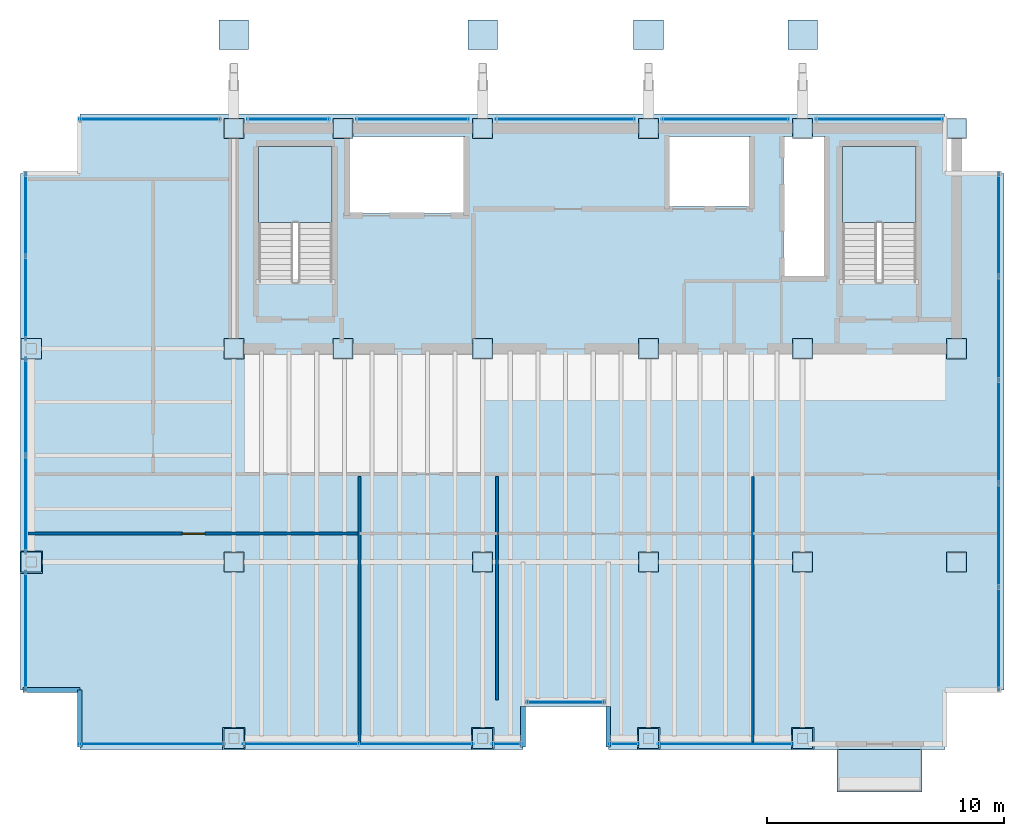
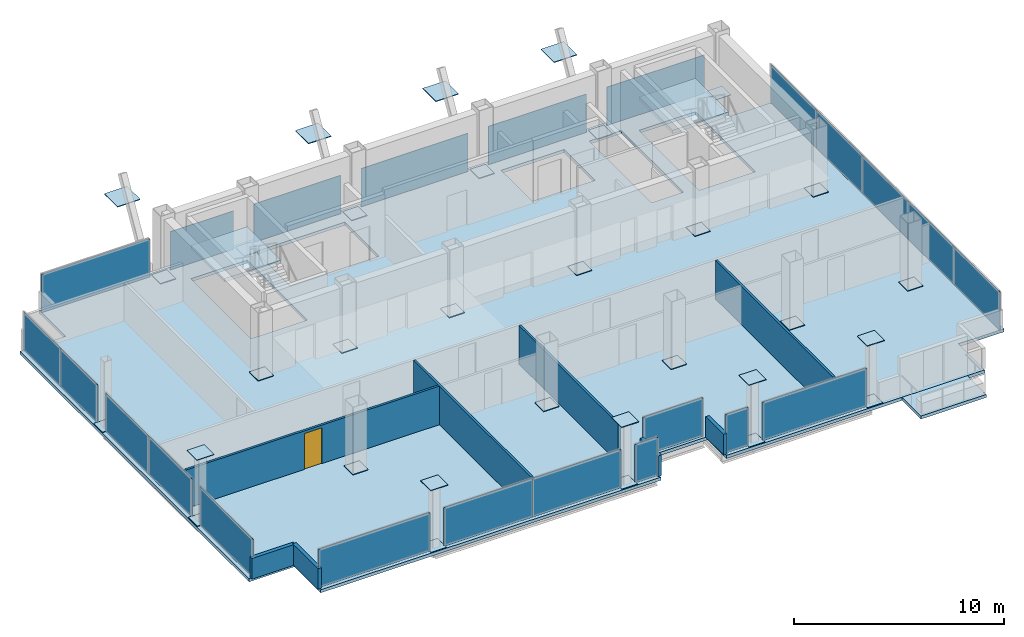
# One storey, part 13 of 16: 55 plates, 8 walls, 4 slabs, 1 door, 6 openings, 18 elements without a shape of their own.
"""IFC4 building model written with IfcOpenShell, lengths in metres."""

from ifc_helpers import new_model, si_unit, direction, frame, frame_2d, origin, origin_2d, place, context, subcontext, project, spatial, polyline, rectangle, outline, extrude, material, layer, layer_set, type_object, element, fill, aggregate, save


model = new_model("IFC4")

# Units and contexts
model_context = context("Model", 3, precision=1e-05, world=origin(), true_north=direction((0.0, 1.0)))
body_context = subcontext(model_context, "Body", "Model", "MODEL_VIEW")
ifc_project = project(units=[si_unit("LENGTHUNIT", "METRE"), si_unit("AREAUNIT", "SQUARE_METRE"), si_unit("VOLUMEUNIT", "CUBIC_METRE"), si_unit("PLANEANGLEUNIT", "RADIAN"), si_unit("MASSUNIT", "GRAM", prefix="KILO")], contexts=[model_context])

# Site, building, storey
site_placement = place(None, origin())
site = spatial("IfcSite", under=ifc_project, at=site_placement, CompositionType="ELEMENT")
building_placement = place(site_placement, origin())
building = spatial("IfcBuilding", under=site, at=building_placement, Name="Noeulbin Bourse Tower", CompositionType="ELEMENT")
storey_placement = place(building_placement, frame((0.0, 0.0, 254.0)))
storey = spatial("IfcBuildingStorey", under=building, at=storey_placement, Name="L63", CompositionType="ELEMENT", Elevation=254.0)

# Curtain wall, plate
ifc_material_1 = material(Name="High-Selectivity Low-Iron Glazing", Category="glass")
curtain_wall_type = type_object("IfcCurtainWallType", Name="CW-SYS-4", PredefinedType="NOTDEFINED", material=ifc_material_1)
curtain_wall_1_placement = place(storey_placement, origin())
curtain_wall_1 = element("IfcCurtainWall", 1, at=curtain_wall_1_placement, inside=storey, type_object=curtain_wall_type, Name="Unitised Curtain Wall CW-L63-SREC", PredefinedType="NOTDEFINED")
ifc_layer_1 = layer(ifc_material_1, 0.035888671875)
ifc_layer_set_1 = layer_set([ifc_layer_1], Name="High-Selectivity Low-Iron Glazing")
plate_type_1 = type_object("IfcPlateType", Name="CW-SYS-4-PNL", PredefinedType="CURTAIN_PANEL", material=ifc_layer_set_1)
plate_1_placement = place(storey_placement, frame((27.5, 14.080078125, 0.0), z_axis=(0.0, 0.0, 1.0), x_axis=(1.0, 0.0, 0.0)))
plate_1 = element("IfcPlate", 2, at=plate_1_placement, type_object=plate_type_1, Name="Glazed Curtain Panel CW-L63-SREC-P00", PredefinedType="CURTAIN_PANEL", context=body_context, shape_type="SweptSolid", body=[
    extrude(rectangle(XDim=3.300048828125, YDim=0.035888671875, at=origin_2d()), origin(), (0.0, 0.0, 1.0), 2.219970703125),
])
aggregate(curtain_wall_1, [plate_1])

curtain_wall_2_placement = place(storey_placement, origin())
curtain_wall_2 = element("IfcCurtainWall", 3, at=curtain_wall_2_placement, inside=storey, type_object=curtain_wall_type, Name="Unitised Curtain Wall CW-L63-S1-S1", PredefinedType="NOTDEFINED")
plate_2_placement = place(storey_placement, frame((10.047607421875, 12.320068359375, 0.0), z_axis=(0.0, 0.0, 1.0), x_axis=(1.0, 0.0, 0.0)))
plate_2 = element("IfcPlate", 4, at=plate_2_placement, type_object=plate_type_1, Name="Glazed Curtain Panel CW-L63-S1-S1-P00", PredefinedType="CURTAIN_PANEL", context=body_context, shape_type="SweptSolid", body=[
    extrude(rectangle(XDim=6.135009765625, YDim=0.035888671875, at=origin_2d()), origin(), (0.0, 0.0, 1.0), 2.219970703125),
])
aggregate(curtain_wall_2, [plate_2])

# Curtain wall, plates
curtain_wall_3_placement = place(storey_placement, origin())
curtain_wall_3 = element("IfcCurtainWall", 5, at=curtain_wall_3_placement, inside=storey, type_object=curtain_wall_type, Name="Unitised Curtain Wall CW-L63-S1-S2", PredefinedType="NOTDEFINED")
plate_3_placement = place(storey_placement, frame((16.3173828125, 12.320068359375, 0.0), z_axis=(0.0, 0.0, 1.0), x_axis=(1.0, 0.0, 0.0)))
plate_3 = element("IfcPlate", 6, at=plate_3_placement, type_object=plate_type_1, Name="Glazed Curtain Panel CW-L63-S1-S2-P00", PredefinedType="CURTAIN_PANEL", context=body_context, shape_type="SweptSolid", body=[
    extrude(rectangle(XDim=4.864990234375, YDim=0.035888671875, at=origin_2d()), origin(), (0.0, 0.0, 1.0), 2.219970703125),
])
plate_4_placement = place(storey_placement, frame((21.1826171875, 12.320068359375, 0.0), z_axis=(0.0, 0.0, 1.0), x_axis=(1.0, 0.0, 0.0)))
plate_4 = element("IfcPlate", 7, at=plate_4_placement, type_object=plate_type_1, Name="Glazed Curtain Panel CW-L63-S1-S2-P01", PredefinedType="CURTAIN_PANEL", context=body_context, shape_type="SweptSolid", body=[
    extrude(rectangle(XDim=4.864990234375, YDim=0.035888671875, at=origin_2d()), origin(), (0.0, 0.0, 1.0), 2.219970703125),
])
aggregate(curtain_wall_3, [plate_3, plate_4])

# Curtain wall, plate
curtain_wall_4_placement = place(storey_placement, origin())
curtain_wall_4 = element("IfcCurtainWall", 8, at=curtain_wall_4_placement, inside=storey, type_object=curtain_wall_type, Name="Unitised Curtain Wall CW-L63-S1-S3", PredefinedType="NOTDEFINED")
plate_5_placement = place(storey_placement, frame((25.017578125, 12.320068359375, 0.0), z_axis=(0.0, 0.0, 1.0), x_axis=(1.0, 0.0, 0.0)))
plate_5 = element("IfcPlate", 9, at=plate_5_placement, type_object=plate_type_1, Name="Glazed Curtain Panel CW-L63-S1-S3-P00", PredefinedType="CURTAIN_PANEL", context=body_context, shape_type="SweptSolid", body=[
    extrude(rectangle(XDim=1.264892578125, YDim=0.035888671875, at=origin_2d()), origin(), (0.0, 0.0, 1.0), 2.219970703125),
])
aggregate(curtain_wall_4, [plate_5])

curtain_wall_5_placement = place(storey_placement, origin())
curtain_wall_5 = element("IfcCurtainWall", 10, at=curtain_wall_5_placement, inside=storey, type_object=curtain_wall_type, Name="Unitised Curtain Wall CW-L63-S2-S1", PredefinedType="NOTDEFINED")
plate_6_placement = place(storey_placement, frame((29.982421875, 12.320068359375, 0.0), z_axis=(0.0, 0.0, 1.0), x_axis=(1.0, 0.0, 0.0)))
plate_6 = element("IfcPlate", 11, at=plate_6_placement, type_object=plate_type_1, Name="Glazed Curtain Panel CW-L63-S2-S1-P00", PredefinedType="CURTAIN_PANEL", context=body_context, shape_type="SweptSolid", body=[
    extrude(rectangle(XDim=1.264892578125, YDim=0.035888671875, at=origin_2d()), origin(), (0.0, 0.0, 1.0), 2.219970703125),
])
aggregate(curtain_wall_5, [plate_6])

curtain_wall_6_placement = place(storey_placement, origin())
curtain_wall_6 = element("IfcCurtainWall", 12, at=curtain_wall_6_placement, inside=storey, type_object=curtain_wall_type, Name="Unitised Curtain Wall CW-L63-S2-S2", PredefinedType="NOTDEFINED")
plate_7_placement = place(storey_placement, frame((34.25, 12.320068359375, 0.0), z_axis=(0.0, 0.0, 1.0), x_axis=(1.0, 0.0, 0.0)))
plate_7 = element("IfcPlate", 13, at=plate_7_placement, type_object=plate_type_1, Name="Glazed Curtain Panel CW-L63-S2-S2-P00", PredefinedType="CURTAIN_PANEL", context=body_context, shape_type="SweptSolid", body=[
    extrude(rectangle(XDim=5.72998046875, YDim=0.035888671875, at=origin_2d()), origin(), (0.0, 0.0, 1.0), 2.219970703125),
])
aggregate(curtain_wall_6, [plate_7])

curtain_wall_7_placement = place(storey_placement, origin())
curtain_wall_7 = element("IfcCurtainWall", 14, at=curtain_wall_7_placement, inside=storey, type_object=curtain_wall_type, Name="Unitised Curtain Wall CW-L63-N-S1", PredefinedType="NOTDEFINED")
plate_8_placement = place(storey_placement, frame((9.9599609375, 38.679931640625, 0.0), z_axis=(0.0, 0.0, 1.0), x_axis=(1.0, 0.0, 0.0)))
plate_8 = element("IfcPlate", 15, at=plate_8_placement, type_object=plate_type_1, Name="Glazed Curtain Panel CW-L63-N-S1-P00", PredefinedType="CURTAIN_PANEL", context=body_context, shape_type="SweptSolid", body=[
    extrude(rectangle(XDim=5.9599609375, YDim=0.035888671875, at=origin_2d()), origin(), (0.0, 0.0, 1.0), 2.219970703125),
])
aggregate(curtain_wall_7, [plate_8])

curtain_wall_8_placement = place(storey_placement, origin())
curtain_wall_8 = element("IfcCurtainWall", 16, at=curtain_wall_8_placement, inside=storey, type_object=curtain_wall_type, Name="Unitised Curtain Wall CW-L63-N-S2", PredefinedType="NOTDEFINED")
plate_9_placement = place(storey_placement, frame((15.800048828125, 38.679931640625, 0.0), z_axis=(0.0, 0.0, 1.0), x_axis=(1.0, 0.0, 0.0)))
plate_9 = element("IfcPlate", 17, at=plate_9_placement, type_object=plate_type_1, Name="Glazed Curtain Panel CW-L63-N-S2-P00", PredefinedType="CURTAIN_PANEL", context=body_context, shape_type="SweptSolid", body=[
    extrude(rectangle(XDim=3.47998046875, YDim=0.035888671875, at=origin_2d()), origin(), (0.0, 0.0, 1.0), 2.219970703125),
])
aggregate(curtain_wall_8, [plate_9])

curtain_wall_9_placement = place(storey_placement, origin())
curtain_wall_9 = element("IfcCurtainWall", 18, at=curtain_wall_9_placement, inside=storey, type_object=curtain_wall_type, Name="Unitised Curtain Wall CW-L63-N-S3", PredefinedType="NOTDEFINED")
plate_10_placement = place(storey_placement, frame((21.050048828125, 38.679931640625, 0.0), z_axis=(0.0, 0.0, 1.0), x_axis=(1.0, 0.0, 0.0)))
plate_10 = element("IfcPlate", 19, at=plate_10_placement, type_object=plate_type_1, Name="Glazed Curtain Panel CW-L63-N-S3-P00", PredefinedType="CURTAIN_PANEL", context=body_context, shape_type="SweptSolid", body=[
    extrude(rectangle(XDim=4.780029296875, YDim=0.035888671875, at=origin_2d()), origin(), (0.0, 0.0, 1.0), 2.219970703125),
])
aggregate(curtain_wall_9, [plate_10])

curtain_wall_10_placement = place(storey_placement, origin())
curtain_wall_10 = element("IfcCurtainWall", 20, at=curtain_wall_10_placement, inside=storey, type_object=curtain_wall_type, Name="Unitised Curtain Wall CW-L63-N-S4", PredefinedType="NOTDEFINED")
plate_11_placement = place(storey_placement, frame((27.5, 38.679931640625, 0.0), z_axis=(0.0, 0.0, 1.0), x_axis=(1.0, 0.0, 0.0)))
plate_11 = element("IfcPlate", 21, at=plate_11_placement, type_object=plate_type_1, Name="Glazed Curtain Panel CW-L63-N-S4-P00", PredefinedType="CURTAIN_PANEL", context=body_context, shape_type="SweptSolid", body=[
    extrude(rectangle(XDim=5.8798828125, YDim=0.035888671875, at=origin_2d()), origin(), (0.0, 0.0, 1.0), 2.219970703125),
])
aggregate(curtain_wall_10, [plate_11])

curtain_wall_11_placement = place(storey_placement, origin())
curtain_wall_11 = element("IfcCurtainWall", 22, at=curtain_wall_11_placement, inside=storey, type_object=curtain_wall_type, Name="Unitised Curtain Wall CW-L63-N-S5", PredefinedType="NOTDEFINED")
plate_12_placement = place(storey_placement, frame((34.25, 38.679931640625, 0.0), z_axis=(0.0, 0.0, 1.0), x_axis=(1.0, 0.0, 0.0)))
plate_12 = element("IfcPlate", 23, at=plate_12_placement, type_object=plate_type_1, Name="Glazed Curtain Panel CW-L63-N-S5-P00", PredefinedType="CURTAIN_PANEL", context=body_context, shape_type="SweptSolid", body=[
    extrude(rectangle(XDim=5.3798828125, YDim=0.035888671875, at=origin_2d()), origin(), (0.0, 0.0, 1.0), 2.219970703125),
])
aggregate(curtain_wall_11, [plate_12])

curtain_wall_12_placement = place(storey_placement, origin())
curtain_wall_12 = element("IfcCurtainWall", 24, at=curtain_wall_12_placement, inside=storey, type_object=curtain_wall_type, Name="Unitised Curtain Wall CW-L63-N-S6", PredefinedType="NOTDEFINED")
plate_13_placement = place(storey_placement, frame((40.75, 38.679931640625, 0.0), z_axis=(0.0, 0.0, 1.0), x_axis=(1.0, 0.0, 0.0)))
plate_13 = element("IfcPlate", 25, at=plate_13_placement, type_object=plate_type_1, Name="Glazed Curtain Panel CW-L63-N-S6-P00", PredefinedType="CURTAIN_PANEL", context=body_context, shape_type="SweptSolid", body=[
    extrude(rectangle(XDim=5.3798828125, YDim=0.035888671875, at=origin_2d()), origin(), (0.0, 0.0, 1.0), 2.219970703125),
])
aggregate(curtain_wall_12, [plate_13])

curtain_wall_13_placement = place(storey_placement, origin())
curtain_wall_13 = element("IfcCurtainWall", 26, at=curtain_wall_13_placement, inside=storey, type_object=curtain_wall_type, Name="Unitised Curtain Wall CW-L63-W-S1", PredefinedType="NOTDEFINED")
plate_14_placement = place(storey_placement, frame((4.719970703125, 17.097412109375, 0.0), z_axis=(0.0, 0.0, 1.0), x_axis=(0.0, 1.0, 0.0)))
plate_14 = element("IfcPlate", 27, at=plate_14_placement, type_object=plate_type_1, Name="Glazed Curtain Panel CW-L63-W-S1-P00", PredefinedType="CURTAIN_PANEL", context=body_context, shape_type="SweptSolid", body=[
    extrude(rectangle(XDim=5.034912109375, YDim=0.035888671875, at=origin_2d()), origin(), (0.0, 0.0, 1.0), 2.219970703125),
])
aggregate(curtain_wall_13, [plate_14])

# Curtain wall, plates
curtain_wall_14_placement = place(storey_placement, origin())
curtain_wall_14 = element("IfcCurtainWall", 28, at=curtain_wall_14_placement, inside=storey, type_object=curtain_wall_type, Name="Unitised Curtain Wall CW-L63-W-S2", PredefinedType="NOTDEFINED")
plate_15_placement = place(storey_placement, frame((4.719970703125, 22.4423828125, 0.0), z_axis=(0.0, 0.0, 1.0), x_axis=(0.0, 1.0, 0.0)))
plate_15 = element("IfcPlate", 29, at=plate_15_placement, type_object=plate_type_1, Name="Glazed Curtain Panel CW-L63-W-S2-P00", PredefinedType="CURTAIN_PANEL", context=body_context, shape_type="SweptSolid", body=[
    extrude(rectangle(XDim=4.114990234375, YDim=0.035888671875, at=origin_2d()), origin(), (0.0, 0.0, 1.0), 2.219970703125),
])
plate_16_placement = place(storey_placement, frame((4.719970703125, 26.5576171875, 0.0), z_axis=(0.0, 0.0, 1.0), x_axis=(0.0, 1.0, 0.0)))
plate_16 = element("IfcPlate", 30, at=plate_16_placement, type_object=plate_type_1, Name="Glazed Curtain Panel CW-L63-W-S2-P01", PredefinedType="CURTAIN_PANEL", context=body_context, shape_type="SweptSolid", body=[
    extrude(rectangle(XDim=4.114990234375, YDim=0.035888671875, at=origin_2d()), origin(), (0.0, 0.0, 1.0), 2.219970703125),
])
aggregate(curtain_wall_14, [plate_15, plate_16])

curtain_wall_15_placement = place(storey_placement, origin())
curtain_wall_15 = element("IfcCurtainWall", 31, at=curtain_wall_15_placement, inside=storey, type_object=curtain_wall_type, Name="Unitised Curtain Wall CW-L63-W-S3", PredefinedType="NOTDEFINED")
plate_17_placement = place(storey_placement, frame((4.719970703125, 31.143798828125, 0.0), z_axis=(0.0, 0.0, 1.0), x_axis=(0.0, 1.0, 0.0)))
plate_17 = element("IfcPlate", 32, at=plate_17_placement, type_object=plate_type_1, Name="Glazed Curtain Panel CW-L63-W-S3-P00", PredefinedType="CURTAIN_PANEL", context=body_context, shape_type="SweptSolid", body=[
    extrude(rectangle(XDim=3.517578125, YDim=0.035888671875, at=origin_2d()), origin(), (0.0, 0.0, 1.0), 2.219970703125),
])
plate_18_placement = place(storey_placement, frame((4.719970703125, 34.661376953125, 0.0), z_axis=(0.0, 0.0, 1.0), x_axis=(0.0, 1.0, 0.0)))
plate_18 = element("IfcPlate", 33, at=plate_18_placement, type_object=plate_type_1, Name="Glazed Curtain Panel CW-L63-W-S3-P01", PredefinedType="CURTAIN_PANEL", context=body_context, shape_type="SweptSolid", body=[
    extrude(rectangle(XDim=3.517578125, YDim=0.035888671875, at=origin_2d()), origin(), (0.0, 0.0, 1.0), 2.219970703125),
])
aggregate(curtain_wall_15, [plate_17, plate_18])

curtain_wall_16_placement = place(storey_placement, origin())
curtain_wall_16 = element("IfcCurtainWall", 34, at=curtain_wall_16_placement, inside=storey, type_object=curtain_wall_type, Name="Unitised Curtain Wall CW-L63-E", PredefinedType="NOTDEFINED")
plate_19_placement = place(storey_placement, frame((45.780029296875, 16.763916015625, 0.0), z_axis=(0.0, 0.0, 1.0), x_axis=(0.0, 1.0, 0.0)))
plate_19 = element("IfcPlate", 35, at=plate_19_placement, type_object=plate_type_1, Name="Glazed Curtain Panel CW-L63-E-P00", PredefinedType="CURTAIN_PANEL", context=body_context, shape_type="SweptSolid", body=[
    extrude(rectangle(XDim=4.367919921875, YDim=0.035888671875, at=origin_2d()), origin(), (0.0, 0.0, 1.0), 2.219970703125),
])
plate_20_placement = place(storey_placement, frame((45.780029296875, 21.132080078125, 0.0), z_axis=(0.0, 0.0, 1.0), x_axis=(0.0, 1.0, 0.0)))
plate_20 = element("IfcPlate", 36, at=plate_20_placement, type_object=plate_type_1, Name="Glazed Curtain Panel CW-L63-E-P01", PredefinedType="CURTAIN_PANEL", context=body_context, shape_type="SweptSolid", body=[
    extrude(rectangle(XDim=4.367919921875, YDim=0.035888671875, at=origin_2d()), origin(), (0.0, 0.0, 1.0), 2.219970703125),
])
plate_21_placement = place(storey_placement, frame((45.780029296875, 25.5, 0.0), z_axis=(0.0, 0.0, 1.0), x_axis=(0.0, 1.0, 0.0)))
plate_21 = element("IfcPlate", 37, at=plate_21_placement, type_object=plate_type_1, Name="Glazed Curtain Panel CW-L63-E-P02", PredefinedType="CURTAIN_PANEL", context=body_context, shape_type="SweptSolid", body=[
    extrude(rectangle(XDim=4.367919921875, YDim=0.035888671875, at=origin_2d()), origin(), (0.0, 0.0, 1.0), 2.219970703125),
])
plate_22_placement = place(storey_placement, frame((45.780029296875, 29.867919921875, 0.0), z_axis=(0.0, 0.0, 1.0), x_axis=(0.0, 1.0, 0.0)))
plate_22 = element("IfcPlate", 38, at=plate_22_placement, type_object=plate_type_1, Name="Glazed Curtain Panel CW-L63-E-P03", PredefinedType="CURTAIN_PANEL", context=body_context, shape_type="SweptSolid", body=[
    extrude(rectangle(XDim=4.367919921875, YDim=0.035888671875, at=origin_2d()), origin(), (0.0, 0.0, 1.0), 2.219970703125),
])
plate_23_placement = place(storey_placement, frame((45.780029296875, 34.236083984375, 0.0), z_axis=(0.0, 0.0, 1.0), x_axis=(0.0, 1.0, 0.0)))
plate_23 = element("IfcPlate", 39, at=plate_23_placement, type_object=plate_type_1, Name="Glazed Curtain Panel CW-L63-E-P04", PredefinedType="CURTAIN_PANEL", context=body_context, shape_type="SweptSolid", body=[
    extrude(rectangle(XDim=4.367919921875, YDim=0.035888671875, at=origin_2d()), origin(), (0.0, 0.0, 1.0), 2.219970703125),
])
aggregate(curtain_wall_16, [plate_19, plate_20, plate_21, plate_22, plate_23])

# Plates
ifc_material_2 = material(Name="Steel S355", Category="steel")
ifc_layer_2 = layer(ifc_material_2, 0.030029296875)
ifc_layer_set_2 = layer_set([ifc_layer_2], Name="Steel S355")
plate_type_2 = type_object("IfcPlateType", Name="PLT-BN1", PredefinedType="USERDEFINED", material=ifc_layer_set_2)
for number, where, z_axis, x_axis, name in (
    (40, (13.5, 29.0, 0.0048828125), (0.0, 0.0, 1.0), (1.0, 0.0, 0.0), "Mega-Column Splice Plate BN1-L63-01"),
    (41, (13.5, 38.300048828125, 0.0048828125), (0.0, 0.0, 1.0), (1.0, 0.0, 0.0), "Mega-Column Splice Plate BN1-L63-02"),
    (42, (18.10009765625, 29.0, 0.0048828125), (0.0, 0.0, 1.0), (1.0, 0.0, 0.0), "Mega-Column Splice Plate BN1-L63-03"),
    (43, (18.10009765625, 38.300048828125, 0.0048828125), (0.0, 0.0, 1.0), (1.0, 0.0, 0.0), "Mega-Column Splice Plate BN1-L63-04"),
    (44, (24.0, 29.0, 0.0048828125), (0.0, 0.0, 1.0), (1.0, 0.0, 0.0), "Mega-Column Splice Plate BN1-L63-05"),
    (45, (24.0, 38.300048828125, 0.0048828125), (0.0, 0.0, 1.0), (1.0, 0.0, 0.0), "Mega-Column Splice Plate BN1-L63-06"),
    (46, (31.0, 29.0, 0.0048828125), (0.0, 0.0, 1.0), (1.0, 0.0, 0.0), "Mega-Column Splice Plate BN1-L63-07"),
    (47, (31.0, 38.300048828125, 0.0048828125), (0.0, 0.0, 1.0), (1.0, 0.0, 0.0), "Mega-Column Splice Plate BN1-L63-08"),
    (48, (37.5, 29.0, 0.0048828125), (0.0, 0.0, 1.0), (1.0, 0.0, 0.0), "Mega-Column Splice Plate BN1-L63-09"),
    (49, (37.5, 38.300048828125, 0.0048828125), (0.0, 0.0, 1.0), (1.0, 0.0, 0.0), "Mega-Column Splice Plate BN1-L63-10"),
    (50, (44.0, 29.0, 0.0048828125), (0.0, 0.0, 1.0), (1.0, 0.0, 0.0), "Mega-Column Splice Plate BN1-L63-11"),
    (51, (44.0, 38.300048828125, 0.0048828125), (0.0, 0.0, 1.0), (1.0, 0.0, 0.0), "Mega-Column Splice Plate BN1-L63-12"),
    (52, (13.5, 20.0, 0.0048828125), (0.0, 0.0, 1.0), (1.0, 0.0, 0.0), "Mega-Column Splice Plate BN1-L63-13"),
    (53, (24.0, 20.0, 0.0048828125), (0.0, 0.0, 1.0), (1.0, 0.0, 0.0), "Mega-Column Splice Plate BN1-L63-14"),
    (54, (31.0, 20.0, 0.0048828125), (0.0, 0.0, 1.0), (1.0, 0.0, 0.0), "Mega-Column Splice Plate BN1-L63-15"),
    (55, (37.5, 20.0, 0.0048828125), (0.0, 0.0, 1.0), (1.0, 0.0, 0.0), "Mega-Column Splice Plate BN1-L63-16"),
    (56, (44.0, 20.0, 0.0048828125), (0.0, 0.0, 1.0), (1.0, 0.0, 0.0), "Mega-Column Splice Plate BN1-L63-17"),
    (57, (4.949951171875, 20.0, 0.0048828125), (0.0, 0.0, 1.0), (1.0, 0.0, 0.0), "Perimeter Column Splice Plate BN1-L63-01"),
    (58, (4.949951171875, 29.0, 0.0048828125), (0.0, 0.0, 1.0), (1.0, 0.0, 0.0), "Perimeter Column Splice Plate BN1-L63-02"),
    (59, (13.5, 12.550048828125, 0.0048828125), (0.0, 0.0, 1.0), (1.0, 0.0, 0.0), "Perimeter Column Splice Plate BN1-L63-03"),
    (60, (24.0, 12.550048828125, 0.0048828125), (0.0, 0.0, 1.0), (1.0, 0.0, 0.0), "Perimeter Column Splice Plate BN1-L63-04"),
    (61, (31.0, 12.550048828125, 0.0048828125), (0.0, 0.0, 1.0), (1.0, 0.0, 0.0), "Perimeter Column Splice Plate BN1-L63-05"),
    (62, (37.5, 12.550048828125, 0.0048828125), (0.0, 0.0, 1.0), (1.0, 0.0, 0.0), "Perimeter Column Splice Plate BN1-L63-06"),
):
    element("IfcPlate", number, at=place(storey_placement, frame(where, z_axis=z_axis, x_axis=x_axis)), inside=storey, type_object=plate_type_2, Name=name, ObjectType="SPLICE PLATE", PredefinedType="USERDEFINED", context=body_context, shape_type="SweptSolid", body=[
        extrude(rectangle(XDim=0.85009765625, YDim=0.85009765625, at=origin_2d()), origin(), (0.0, 0.0, 1.0), 0.030029296875),
    ])
ifc_material_3 = material(Name="Steel S460", Category="steel")
ifc_layer_3 = layer(ifc_material_3, 0.0400390625)
ifc_layer_set_3 = layer_set([ifc_layer_3], Name="Steel S460")
plate_type_3 = type_object("IfcPlateType", Name="PLT-KN1", PredefinedType="USERDEFINED", material=ifc_layer_set_3)
for number, where, z_axis, x_axis, name in (
    (63, (13.5, 42.25, 2.260009765625), (0.0, 0.0, 1.0), (1.0, 0.0, 0.0), "Exoskeleton Kink Gusset KN1-01"),
    (64, (24.0, 42.25, 2.260009765625), (0.0, 0.0, 1.0), (1.0, 0.0, 0.0), "Exoskeleton Kink Gusset KN1-02"),
    (65, (31.0, 42.25, 2.260009765625), (0.0, 0.0, 1.0), (1.0, 0.0, 0.0), "Exoskeleton Kink Gusset KN1-03"),
    (66, (37.5, 42.25, 2.260009765625), (0.0, 0.0, 1.0), (1.0, 0.0, 0.0), "Exoskeleton Kink Gusset KN1-04"),
):
    element("IfcPlate", number, at=place(storey_placement, frame(where, z_axis=z_axis, x_axis=x_axis)), inside=storey, type_object=plate_type_3, Name=name, ObjectType="GUSSET PLATE", PredefinedType="USERDEFINED", context=body_context, shape_type="SweptSolid", body=[
        extrude(rectangle(XDim=1.25, YDim=1.25, at=origin_2d()), origin(), (0.0, 0.0, 1.0), 0.0400390625),
    ])
ifc_layer_4 = layer(ifc_material_2, 0.031982421875)
ifc_layer_set_4 = layer_set([ifc_layer_4], Name="Steel S355")
plate_type_4 = type_object("IfcPlateType", Name="PLT-KN3", PredefinedType="USERDEFINED", material=ifc_layer_set_4)
for number, where, z_axis, x_axis, name in (
    (67, (4.949951171875, 20.0, 3.8837890625), (0.0, 0.0, 1.0), (1.0, 0.0, 0.0), "Perimeter Column End Cap Plate KN3-01"),
    (68, (13.5, 12.550048828125, 3.64404296875), (0.0, 0.0, 1.0), (1.0, 0.0, 0.0), "Perimeter Column End Cap Plate KN3-03"),
    (69, (24.0, 12.550048828125, 3.64404296875), (0.0, 0.0, 1.0), (1.0, 0.0, 0.0), "Perimeter Column End Cap Plate KN3-04"),
    (70, (31.0, 12.550048828125, 3.64404296875), (0.0, 0.0, 1.0), (1.0, 0.0, 0.0), "Perimeter Column End Cap Plate KN3-05"),
    (71, (37.5, 12.550048828125, 3.64404296875), (0.0, 0.0, 1.0), (1.0, 0.0, 0.0), "Perimeter Column End Cap Plate KN3-06"),
):
    element("IfcPlate", number, at=place(storey_placement, frame(where, z_axis=z_axis, x_axis=x_axis)), inside=storey, type_object=plate_type_4, Name=name, ObjectType="END PLATE", PredefinedType="USERDEFINED", context=body_context, shape_type="SweptSolid", body=[
        extrude(rectangle(XDim=0.949951171875, YDim=0.949951171875, at=origin_2d()), origin(), (0.0, 0.0, 1.0), 0.031982421875),
    ])

# Stair, slab
ifc_material_4 = material(Name="Concrete C40/50", Category="concrete")
stair_type = type_object("IfcStairType", Name="STR-CORE-1560", PredefinedType="HALF_TURN_STAIR", material=ifc_material_4)
stair_1_placement = place(storey_placement, origin())
stair_1 = element("IfcStair", 72, at=stair_1_placement, inside=storey, type_object=stair_type, Name="L63 ST-1", PredefinedType="HALF_TURN_STAIR")
ifc_layer_5 = layer(ifc_material_4, 0.199951171875)
ifc_layer_set_5 = layer_set([ifc_layer_5], Name="Concrete C40/50")
slab_type_1 = type_object("IfcSlabType", Name="SLB-LND-200", PredefinedType="LANDING", material=ifc_layer_set_5)
slab_1_placement = place(storey_placement, frame((0.0, 0.0, 1.75)))
slab_1 = element("IfcSlab", 73, at=slab_1_placement, type_object=slab_type_1, Name="ST-1 landing 1", PredefinedType="LANDING", context=body_context, shape_type="SweptSolid", body=[
    extrude(outline(polyline([(17.64990234375, 34.330078125), (17.64990234375, 37.5439453125), (14.550048828125, 37.5439453125), (14.550048828125, 34.330078125), (17.64990234375, 34.330078125)])), origin(), (0.0, 0.0, 1.0), 0.199951171875),
])
aggregate(stair_1, [slab_1])

stair_2_placement = place(storey_placement, origin())
stair_2 = element("IfcStair", 74, at=stair_2_placement, inside=storey, type_object=stair_type, Name="L63 ST-2", PredefinedType="HALF_TURN_STAIR")
slab_2_placement = place(storey_placement, frame((0.0, 0.0, 1.75)))
slab_2 = element("IfcSlab", 75, at=slab_2_placement, type_object=slab_type_1, Name="ST-2 landing 1", PredefinedType="LANDING", context=body_context, shape_type="SweptSolid", body=[
    extrude(outline(polyline([(42.280029296875, 34.330078125), (42.280029296875, 37.5439453125), (39.179931640625, 37.5439453125), (39.179931640625, 34.330078125), (42.280029296875, 34.330078125)])), origin(), (0.0, 0.0, 1.0), 0.199951171875),
])
aggregate(stair_2, [slab_2])

# Slab, openings
ifc_layer_6 = layer(ifc_material_4, 0.179931640625)
ifc_layer_set_6 = layer_set([ifc_layer_6], Name="Concrete C40/50")
slab_type_2 = type_object("IfcSlabType", Name="SLB-TYP-180", PredefinedType="FLOOR", material=ifc_layer_set_6)
slab_3_placement = place(storey_placement, frame((0.0, 0.0, -0.179931640625)))
slab_3 = element("IfcSlab", 76, at=slab_3_placement, inside=storey, type_object=slab_type_2, Name="Tower Structural Floor Slab L63", PredefinedType="FLOOR", context=body_context, shape_type="SweptSolid", body=[
    extrude(outline(polyline([(7.0, 12.10009765625), (25.699951171875, 12.10009765625), (25.699951171875, 13.89990234375), (29.300048828125, 13.89990234375), (29.300048828125, 12.10009765625), (43.5, 12.10009765625), (43.5, 14.60009765625), (46.0, 14.60009765625), (46.0, 36.39990234375), (43.5, 36.39990234375), (43.5, 38.89990234375), (7.0, 38.89990234375), (7.0, 36.39990234375), (4.5, 36.39990234375), (4.5, 14.60009765625), (7.0, 14.60009765625), (7.0, 12.10009765625)]), holes=[polyline([(17.64990234375, 31.81005859375), (17.64990234375, 37.5439453125), (14.550048828125, 37.5439453125), (14.550048828125, 31.81005859375), (17.64990234375, 31.81005859375)]), polyline([(42.280029296875, 31.81005859375), (42.280029296875, 37.5439453125), (39.179931640625, 37.5439453125), (39.179931640625, 31.81005859375), (42.280029296875, 31.81005859375)]), polyline([(18.35009765625, 34.699951171875), (23.25, 34.699951171875), (23.25, 37.949951171875), (18.35009765625, 37.949951171875), (18.35009765625, 34.699951171875)]), polyline([(36.699951171875, 32.050048828125), (38.449951171875, 32.050048828125), (38.449951171875, 37.949951171875), (36.699951171875, 37.949951171875), (36.699951171875, 32.050048828125)]), polyline([(31.85009765625, 35.0), (35.300048828125, 35.0), (35.300048828125, 37.949951171875), (31.85009765625, 37.949951171875), (31.85009765625, 35.0)])]), origin(), (0.0, 0.0, 1.0), 0.179931640625),
])
opening_1_placement = place(slab_3_placement, frame((0.0, 0.0, -0.010009765625)))
element("IfcOpeningElement", 77, at=opening_1_placement, cuts=slab_3, Name="Slab Shaft Opening SLB-L63-TWR-1", PredefinedType="OPENING", context=body_context, shape_type="SweptSolid", body=[
    extrude(outline(polyline([(17.64990234375, 31.81005859375), (17.64990234375, 37.5439453125), (14.550048828125, 37.5439453125), (14.550048828125, 31.81005859375), (17.64990234375, 31.81005859375)])), origin(), (0.0, 0.0, 1.0), 0.199951171875),
])
opening_2_placement = place(slab_3_placement, frame((0.0, 0.0, -0.010009765625)))
element("IfcOpeningElement", 78, at=opening_2_placement, cuts=slab_3, Name="Slab Shaft Opening SLB-L63-TWR-2", PredefinedType="OPENING", context=body_context, shape_type="SweptSolid", body=[
    extrude(outline(polyline([(42.280029296875, 31.81005859375), (42.280029296875, 37.5439453125), (39.179931640625, 37.5439453125), (39.179931640625, 31.81005859375), (42.280029296875, 31.81005859375)])), origin(), (0.0, 0.0, 1.0), 0.199951171875),
])
opening_3_placement = place(slab_3_placement, frame((0.0, 0.0, -0.010009765625)))
element("IfcOpeningElement", 79, at=opening_3_placement, cuts=slab_3, Name="Slab Shaft Opening SLB-L63-TWR-3", PredefinedType="OPENING", context=body_context, shape_type="SweptSolid", body=[
    extrude(outline(polyline([(18.35009765625, 34.699951171875), (23.25, 34.699951171875), (23.25, 37.949951171875), (18.35009765625, 37.949951171875), (18.35009765625, 34.699951171875)])), origin(), (0.0, 0.0, 1.0), 0.199951171875),
])
opening_4_placement = place(slab_3_placement, frame((0.0, 0.0, -0.010009765625)))
element("IfcOpeningElement", 80, at=opening_4_placement, cuts=slab_3, Name="Slab Shaft Opening SLB-L63-TWR-4", PredefinedType="OPENING", context=body_context, shape_type="SweptSolid", body=[
    extrude(outline(polyline([(36.699951171875, 32.050048828125), (38.449951171875, 32.050048828125), (38.449951171875, 37.949951171875), (36.699951171875, 37.949951171875), (36.699951171875, 32.050048828125)])), origin(), (0.0, 0.0, 1.0), 0.199951171875),
])
opening_5_placement = place(slab_3_placement, frame((0.0, 0.0, -0.010009765625)))
element("IfcOpeningElement", 81, at=opening_5_placement, cuts=slab_3, Name="Slab Shaft Opening SLB-L63-TWR-5", PredefinedType="OPENING", context=body_context, shape_type="SweptSolid", body=[
    extrude(outline(polyline([(31.85009765625, 35.0), (35.300048828125, 35.0), (35.300048828125, 37.949951171875), (31.85009765625, 37.949951171875), (31.85009765625, 35.0)])), origin(), (0.0, 0.0, 1.0), 0.199951171875),
])

# Slab
slab_4_placement = place(storey_placement, frame((0.0, 0.0, -0.179931640625)))
element("IfcSlab", 82, at=slab_4_placement, inside=storey, type_object=slab_type_2, Name="Cantilevered Tree-Balcony Slab L63", PredefinedType="FLOOR", context=body_context, shape_type="SweptSolid", body=[
    extrude(outline(polyline([(38.949951171875, 10.300048828125), (42.550048828125, 10.300048828125), (42.550048828125, 12.10009765625), (38.949951171875, 12.10009765625), (38.949951171875, 10.300048828125)])), origin(), (0.0, 0.0, 1.0), 0.179931640625),
])

# Walls
ifc_layer_7 = layer(ifc_material_4, 0.199951171875)
ifc_layer_set_7 = layer_set([ifc_layer_7], Name="Concrete C40/50")
wall_type_1 = type_object("IfcWallType", Name="WAL-PAR-200", PredefinedType="PARAPET", material=ifc_layer_set_7)
wall_1_placement = place(storey_placement, frame((4.60009765625, 14.60009765625, 0.0), z_axis=(0.0, 0.0, 1.0), x_axis=(1.0, 0.0, 0.0)))
element("IfcWall", 83, at=wall_1_placement, inside=storey, type_object=wall_type_1, Name="Corner Notch Parapet L63-SW1", PredefinedType="PARAPET", context=body_context, shape_type="SweptSolid", body=[
    extrude(rectangle(XDim=2.39990234375, YDim=0.199951171875, at=frame_2d((1.199951171875, 0.0))), origin(), (0.0, 0.0, 1.0), 1.199951171875),
])
wall_2_placement = place(storey_placement, frame((7.0, 14.60009765625, 0.0), z_axis=(0.0, 0.0, 1.0), x_axis=(0.0, -1.0, 0.0)))
element("IfcWall", 84, at=wall_2_placement, inside=storey, type_object=wall_type_1, Name="Corner Notch Parapet L63-SW2", PredefinedType="PARAPET", context=body_context, shape_type="SweptSolid", body=[
    extrude(rectangle(XDim=2.400146484375, YDim=0.199951171875, at=frame_2d((1.2001953125, 0.0))), origin(), (0.0, 0.0, 1.0), 1.199951171875),
])
for number, where, z_axis, x_axis, name in (
    (85, (25.699951171875, 12.199951171875, 0.0), (0.0, 0.0, 1.0), (0.0, 1.0, 0.0), "Sky-Garden Recess Parapet L63-W"),
    (86, (29.300048828125, 13.89990234375, 0.0), (0.0, 0.0, 1.0), (0.0, -1.0, 0.0), "Sky-Garden Recess Parapet L63-E"),
):
    element("IfcWall", number, at=place(storey_placement, frame(where, z_axis=z_axis, x_axis=x_axis)), inside=storey, type_object=wall_type_1, Name=name, PredefinedType="PARAPET", context=body_context, shape_type="SweptSolid", body=[
        extrude(rectangle(XDim=1.699951171875, YDim=0.199951171875, at=frame_2d((0.85009765625, 0.0))), origin(), (0.0, 0.0, 1.0), 1.199951171875),
    ])

# Wall, opening, door
ifc_material_5 = material(Name="Steel Stud Gypsum Partition", Category="steel")
ifc_layer_8 = layer(ifc_material_5, 0.1201171875)
ifc_layer_set_8 = layer_set([ifc_layer_8], Name="Steel Stud Gypsum Partition")
wall_type_2 = type_object("IfcWallType", Name="WAL-PRT-120", PredefinedType="PARTITIONING", material=ifc_layer_set_8)
wall_3_placement = place(storey_placement, frame((4.81005859375, 21.199951171875, 0.0), z_axis=(0.0, 0.0, 1.0), x_axis=(1.0, 0.0, 0.0)))
wall_3 = element("IfcWall", 87, at=wall_3_placement, inside=storey, type_object=wall_type_2, Name="Interior Partition Wall L63-06", PredefinedType="PARTITIONING", context=body_context, shape_type="SweptSolid", body=[
    extrude(rectangle(XDim=13.989990234375, YDim=0.1201171875, at=frame_2d((6.9951171875, 0.0))), origin(), (0.0, 0.0, 1.0), 2.239990234375),
])
opening_6_placement = place(wall_3_placement, frame((6.52001953125, 0.0, 0.0)))
opening_6 = element("IfcOpeningElement", 88, at=opening_6_placement, cuts=wall_3, Name="Opening ID-09", PredefinedType="OPENING", context=body_context, shape_type="SweptSolid", body=[
    extrude(rectangle(XDim=0.949951171875, YDim=2.080078125, at=frame_2d((0.47509765625, 1.0400390625))), frame((0.0, 0.070068359375, 0.0), z_axis=(0.0, -1.0, 0.0), x_axis=(1.0, 0.0, 0.0)), (0.0, 0.0, 1.0), 0.14013671875),
])
ifc_material_6 = material(Name="Acoustic Solid-Core Timber", Category="wood")
door_type = type_object("IfcDoorType", Name="DR-SINGLE-950", OperationType="SINGLE_SWING_LEFT", PredefinedType="DOOR", material=ifc_material_6)
door_placement = place(opening_6_placement, origin())
door = element("IfcDoor", 89, at=door_placement, inside=storey, type_object=door_type, Name="Interior Door L63-08", OperationType="SINGLE_SWING_LEFT", OverallHeight=2.080078125, OverallWidth=0.949951171875, PredefinedType="DOOR", context=body_context, shape_type="SweptSolid", body=[
    extrude(rectangle(XDim=0.949951171875, YDim=2.080078125, at=frame_2d((0.47509765625, 1.0400390625))), frame((0.0, 0.02490234375, 0.0), z_axis=(0.0, -1.0, 0.0), x_axis=(1.0, 0.0, 0.0)), (0.0, 0.0, 1.0), 0.050048828125),
])
fill(opening_6, door)

# Walls
wall_4_placement = place(storey_placement, frame((18.800048828125, 12.409912109375, 0.0), z_axis=(0.0, 0.0, 1.0), x_axis=(0.0, 1.0, 0.0)))
element("IfcWall", 90, at=wall_4_placement, inside=storey, type_object=wall_type_2, Name="Interior Partition Wall L63-17", PredefinedType="PARTITIONING", context=body_context, shape_type="SweptSolid", body=[
    extrude(rectangle(XDim=11.205078125, YDim=0.1201171875, at=frame_2d((5.6025390625, 0.0))), origin(), (0.0, 0.0, 1.0), 2.239990234375),
])
wall_5_placement = place(storey_placement, frame((24.60009765625, 14.169921875, 0.0), z_axis=(0.0, 0.0, 1.0), x_axis=(0.0, 1.0, 0.0)))
element("IfcWall", 91, at=wall_5_placement, inside=storey, type_object=wall_type_2, Name="Interior Partition Wall L63-18", PredefinedType="PARTITIONING", context=body_context, shape_type="SweptSolid", body=[
    extrude(rectangle(XDim=9.445068359375, YDim=0.1201171875, at=frame_2d((4.72265625, 0.0))), origin(), (0.0, 0.0, 1.0), 2.239990234375),
])
wall_6_placement = place(storey_placement, frame((35.39990234375, 12.409912109375, 0.0), z_axis=(0.0, 0.0, 1.0), x_axis=(0.0, 1.0, 0.0)))
element("IfcWall", 92, at=wall_6_placement, inside=storey, type_object=wall_type_2, Name="Interior Partition Wall L63-19", PredefinedType="PARTITIONING", context=body_context, shape_type="SweptSolid", body=[
    extrude(rectangle(XDim=11.205078125, YDim=0.1201171875, at=frame_2d((5.6025390625, 0.0))), origin(), (0.0, 0.0, 1.0), 2.239990234375),
])

save(model, "model.ifc")
